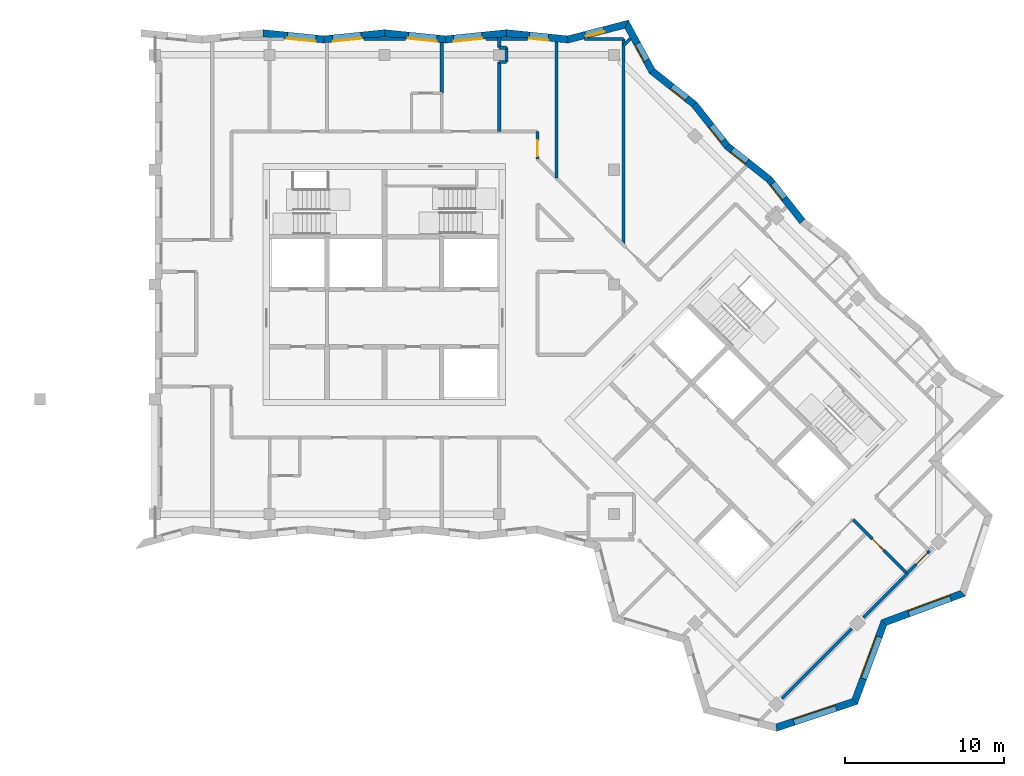
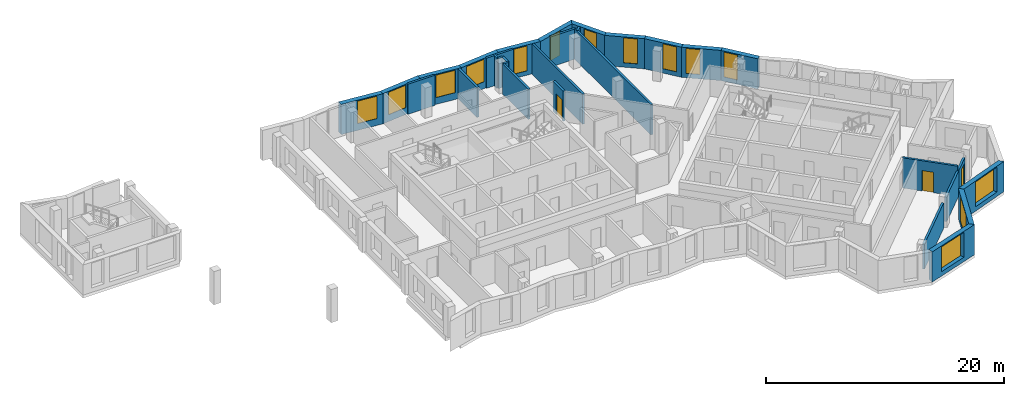
# One storey, part 6 of 12: 31 walls, 14 windows, 3 doors, 17 openings.
"""IFC4 building model written with IfcOpenShell, lengths in metres."""

from ifc_helpers import new_model, si_unit, direction, frame, frame_2d, origin, place, context, subcontext, project, spatial, polyline, rectangle, outline, extrude, material, layer, layer_set, type_object, element, fill, save


model = new_model("IFC4")

# Units and contexts
model_context = context("Model", 3, precision=1e-05, world=origin(), true_north=direction((0.0, 1.0)))
body_context = subcontext(model_context, "Body", "Model", "MODEL_VIEW")
ifc_project = project(units=[si_unit("LENGTHUNIT", "METRE"), si_unit("AREAUNIT", "SQUARE_METRE"), si_unit("VOLUMEUNIT", "CUBIC_METRE"), si_unit("PLANEANGLEUNIT", "RADIAN"), si_unit("MASSUNIT", "GRAM", prefix="KILO")], contexts=[model_context])

# Site, building, storey
site_placement = place(None, origin())
site = spatial("IfcSite", under=ifc_project, at=site_placement, CompositionType="ELEMENT")
building_placement = place(site_placement, origin())
building = spatial("IfcBuilding", under=site, at=building_placement, Name="Windrow Commons", CompositionType="ELEMENT")
storey_placement = place(building_placement, frame((0.0, 0.0, 254.0)))
storey = spatial("IfcBuildingStorey", under=building, at=storey_placement, Name="L69", CompositionType="ELEMENT", Elevation=254.0)

# Wall, opening, window
ifc_material_1 = material(Name="Brick masonry, red clay brick", Category="masonry")
ifc_layer_1 = layer(ifc_material_1, 0.45)
ifc_layer_set_1 = layer_set([ifc_layer_1], Name="Brick facade wall 450")
wall_type_1 = type_object("IfcWallType", Name="Brick facade wall 450", PredefinedType="SOLIDWALL", material=ifc_layer_set_1)
wall_1_placement = place(storey_placement, frame((89.3739, 29.808, 0.0), z_axis=(0.0, 0.0, 1.0), x_axis=(0.9486871496, 0.3162162112, 0.0)))
wall_1 = element("IfcWall", 1, at=wall_1_placement, inside=storey, type_object=wall_type_1, Name="Brick facade wall L69 1", PredefinedType="SOLIDWALL", context=body_context, shape_type="SweptSolid", body=[
    extrude(outline(polyline([(-0.0661, -0.225), (5.3005, -0.225), (5.0849, 0.225), (0.0661, 0.225), (-0.0661, -0.225)])), origin(), (0.0, 0.0, 1.0), 3.1),
])
opening_1_placement = place(wall_1_placement, frame((1.1574, 0.0, 0.45)))
opening_1 = element("IfcOpeningElement", 2, at=opening_1_placement, cuts=wall_1, Name="Opening W1V", PredefinedType="OPENING", context=body_context, shape_type="SweptSolid", body=[
    extrude(rectangle(XDim=2.8, YDim=2.55, at=frame_2d((1.4, 1.275))), frame((0.0, 0.235, 0.0), z_axis=(0.0, -1.0, 0.0), x_axis=(1.0, 0.0, 0.0)), (0.0, 0.0, 1.0), 0.47),
])
ifc_material_2 = material(Name="Clear float glass in anodised aluminium frame", Category="aluminium")
window_type_1 = type_object("IfcWindowType", Name="Window W1V bedroom 2800x2550", PartitioningType="SINGLE_PANEL", PredefinedType="WINDOW", material=ifc_material_2)
window_1_placement = place(opening_1_placement, origin())
window_1 = element("IfcWindow", 3, at=window_1_placement, inside=storey, type_object=window_type_1, Name="Window L69 1.1", OverallHeight=2.55, OverallWidth=2.8, PartitioningType="SINGLE_PANEL", PredefinedType="WINDOW", context=body_context, shape_type="SweptSolid", body=[
    extrude(rectangle(XDim=2.8, YDim=2.55, at=frame_2d((1.4, 1.275))), frame((0.0, 0.205, 0.0), z_axis=(0.0, -1.0, 0.0), x_axis=(1.0, 0.0, 0.0)), (0.0, 0.0, 1.0), 0.06),
])
fill(opening_1, window_1)

wall_2_placement = place(storey_placement, frame((94.3001, 31.45, 0.0), z_axis=(0.0, 0.0, 1.0), x_axis=(0.3481927166, 0.9374229739, 0.0)))
wall_2 = element("IfcWall", 4, at=wall_2_placement, inside=storey, type_object=wall_type_1, Name="Brick facade wall L69 2", PredefinedType="SOLIDWALL", context=body_context, shape_type="SweptSolid", body=[
    extrude(outline(polyline([(-0.1078, -0.225), (5.1724, -0.225), (5.3786, 0.225), (0.1078, 0.225), (-0.1078, -0.225)])), origin(), (0.0, 0.0, 1.0), 3.1),
])
opening_2_placement = place(wall_2_placement, frame((1.5336, 0.0, 0.45)))
opening_2 = element("IfcOpeningElement", 5, at=opening_2_placement, cuts=wall_2, Name="Opening W1V", PredefinedType="OPENING", context=body_context, shape_type="SweptSolid", body=[
    extrude(rectangle(XDim=2.8, YDim=2.55, at=frame_2d((1.4, 1.275))), frame((0.0, 0.235, 0.0), z_axis=(0.0, -1.0, 0.0), x_axis=(1.0, 0.0, 0.0)), (0.0, 0.0, 1.0), 0.47),
])
window_2_placement = place(opening_2_placement, origin())
window_2 = element("IfcWindow", 6, at=window_2_placement, inside=storey, type_object=window_type_1, Name="Window L69 2.1", OverallHeight=2.55, OverallWidth=2.8, PartitioningType="SINGLE_PANEL", PredefinedType="WINDOW", context=body_context, shape_type="SweptSolid", body=[
    extrude(rectangle(XDim=2.8, YDim=2.55, at=frame_2d((1.4, 1.275))), frame((0.0, 0.205, 0.0), z_axis=(0.0, -1.0, 0.0), x_axis=(1.0, 0.0, 0.0)), (0.0, 0.0, 1.0), 0.06),
])
fill(opening_2, window_2)

wall_3_placement = place(storey_placement, frame((96.137, 36.3954, 0.0), z_axis=(0.0, 0.0, 1.0), x_axis=(0.937429161, 0.3481760591, 0.0)))
wall_3 = element("IfcWall", 7, at=wall_3_placement, inside=storey, type_object=wall_type_1, Name="Brick facade wall L69 3", PredefinedType="SOLIDWALL", context=body_context, shape_type="SweptSolid", body=[
    extrude(outline(polyline([(0.1031, -0.225), (5.3833, -0.225), (5.1677, 0.225), (-0.1031, 0.225), (0.1031, -0.225)])), origin(), (0.0, 0.0, 1.0), 3.1),
])
opening_3_placement = place(wall_3_placement, frame((1.6509, 0.0, 0.45)))
opening_3 = element("IfcOpeningElement", 8, at=opening_3_placement, cuts=wall_3, Name="Opening W1V", PredefinedType="OPENING", context=body_context, shape_type="SweptSolid", body=[
    extrude(rectangle(XDim=2.8, YDim=2.55, at=frame_2d((1.4, 1.275))), frame((0.0, 0.235, 0.0), z_axis=(0.0, -1.0, 0.0), x_axis=(1.0, 0.0, 0.0)), (0.0, 0.0, 1.0), 0.47),
])
window_3_placement = place(opening_3_placement, origin())
window_3 = element("IfcWindow", 9, at=window_3_placement, inside=storey, type_object=window_type_1, Name="Window L69 3.1", OverallHeight=2.55, OverallWidth=2.8, PartitioningType="SINGLE_PANEL", PredefinedType="WINDOW", context=body_context, shape_type="SweptSolid", body=[
    extrude(rectangle(XDim=2.8, YDim=2.55, at=frame_2d((1.4, 1.275))), frame((0.0, 0.205, 0.0), z_axis=(0.0, -1.0, 0.0), x_axis=(1.0, 0.0, 0.0)), (0.0, 0.0, 1.0), 0.06),
])
fill(opening_3, window_3)

wall_4_placement = place(storey_placement, frame((91.0226, 61.5541, 0.0), z_axis=(0.0, 0.0, 1.0), x_axis=(-0.6198356984, 0.7847316147, 0.0)))
wall_4 = element("IfcWall", 10, at=wall_4_placement, inside=storey, type_object=wall_type_1, Name="Brick facade wall L69 12", PredefinedType="SOLIDWALL", context=body_context, shape_type="SweptSolid", body=[
    extrude(outline(polyline([(0.0264, -0.225), (3.38, -0.225), (3.3272, 0.225), (-0.0264, 0.225), (0.0264, -0.225)])), origin(), (0.0, 0.0, 1.0), 3.1),
])
opening_4_placement = place(wall_4_placement, frame((1.8413, 0.0, 0.45)))
opening_4 = element("IfcOpeningElement", 11, at=opening_4_placement, cuts=wall_4, Name="Opening W7F", PredefinedType="OPENING", context=body_context, shape_type="SweptSolid", body=[
    extrude(rectangle(XDim=1.2, YDim=2.55, at=frame_2d((0.6, 1.275))), frame((0.0, 0.235, 0.0), z_axis=(0.0, -1.0, 0.0), x_axis=(1.0, 0.0, 0.0)), (0.0, 0.0, 1.0), 0.47),
])
ifc_material_3 = material(Name="Clear float glass in anodised aluminium frame", Category="aluminium")
window_type_2 = type_object("IfcWindowType", Name="Window W7 notch 1200x2550", PartitioningType="SINGLE_PANEL", PredefinedType="WINDOW", material=ifc_material_3)
window_4_placement = place(opening_4_placement, origin())
window_4 = element("IfcWindow", 12, at=window_4_placement, inside=storey, type_object=window_type_2, Name="Window L69 12.1", OverallHeight=2.55, OverallWidth=1.2, PartitioningType="SINGLE_PANEL", PredefinedType="WINDOW", context=body_context, shape_type="SweptSolid", body=[
    extrude(rectangle(XDim=1.2, YDim=2.55, at=frame_2d((0.6, 1.275))), frame((0.0, 0.205, 0.0), z_axis=(0.0, -1.0, 0.0), x_axis=(1.0, 0.0, 0.0)), (0.0, 0.0, 1.0), 0.06),
])
fill(opening_4, window_4)

wall_5_placement = place(storey_placement, frame((88.9439, 64.1858, 0.0), z_axis=(0.0, 0.0, 1.0), x_axis=(-0.7847316147, 0.6198356984, 0.0)))
wall_5 = element("IfcWall", 13, at=wall_5_placement, inside=storey, type_object=wall_type_1, Name="Brick facade wall L69 13", PredefinedType="SOLIDWALL", context=body_context, shape_type="SweptSolid", body=[
    extrude(outline(polyline([(-0.0264, -0.225), (3.3272, -0.225), (3.38, 0.225), (0.0264, 0.225), (-0.0264, -0.225)])), origin(), (0.0, 0.0, 1.0), 3.1),
])
opening_5_placement = place(wall_5_placement, frame((1.7901, 0.0, 0.45)))
opening_5 = element("IfcOpeningElement", 14, at=opening_5_placement, cuts=wall_5, Name="Opening W7F", PredefinedType="OPENING", context=body_context, shape_type="SweptSolid", body=[
    extrude(rectangle(XDim=1.2, YDim=2.55, at=frame_2d((0.6, 1.275))), frame((0.0, 0.235, 0.0), z_axis=(0.0, -1.0, 0.0), x_axis=(1.0, 0.0, 0.0)), (0.0, 0.0, 1.0), 0.47),
])
window_5_placement = place(opening_5_placement, origin())
window_5 = element("IfcWindow", 15, at=window_5_placement, inside=storey, type_object=window_type_2, Name="Window L69 13.1", OverallHeight=2.55, OverallWidth=1.2, PartitioningType="SINGLE_PANEL", PredefinedType="WINDOW", context=body_context, shape_type="SweptSolid", body=[
    extrude(rectangle(XDim=1.2, YDim=2.55, at=frame_2d((0.6, 1.275))), frame((0.0, 0.205, 0.0), z_axis=(0.0, -1.0, 0.0), x_axis=(1.0, 0.0, 0.0)), (0.0, 0.0, 1.0), 0.06),
])
fill(opening_5, window_5)

wall_6_placement = place(storey_placement, frame((86.3122, 66.2645, 0.0), z_axis=(0.0, 0.0, 1.0), x_axis=(-0.6198356984, 0.7847316147, 0.0)))
wall_6 = element("IfcWall", 16, at=wall_6_placement, inside=storey, type_object=wall_type_1, Name="Brick facade wall L69 14", PredefinedType="SOLIDWALL", context=body_context, shape_type="SweptSolid", body=[
    extrude(outline(polyline([(0.0264, -0.225), (3.38, -0.225), (3.3272, 0.225), (-0.0264, 0.225), (0.0264, -0.225)])), origin(), (0.0, 0.0, 1.0), 3.1),
])
opening_6_placement = place(wall_6_placement, frame((0.4488, 0.0, 0.45)))
opening_6 = element("IfcOpeningElement", 17, at=opening_6_placement, cuts=wall_6, Name="Opening W7F", PredefinedType="OPENING", context=body_context, shape_type="SweptSolid", body=[
    extrude(rectangle(XDim=1.2, YDim=2.55, at=frame_2d((0.6, 1.275))), frame((0.0, 0.235, 0.0), z_axis=(0.0, -1.0, 0.0), x_axis=(1.0, 0.0, 0.0)), (0.0, 0.0, 1.0), 0.47),
])
window_6_placement = place(opening_6_placement, origin())
window_6 = element("IfcWindow", 18, at=window_6_placement, inside=storey, type_object=window_type_2, Name="Window L69 14.1", OverallHeight=2.55, OverallWidth=1.2, PartitioningType="SINGLE_PANEL", PredefinedType="WINDOW", context=body_context, shape_type="SweptSolid", body=[
    extrude(rectangle(XDim=1.2, YDim=2.55, at=frame_2d((0.6, 1.275))), frame((0.0, 0.205, 0.0), z_axis=(0.0, -1.0, 0.0), x_axis=(1.0, 0.0, 0.0)), (0.0, 0.0, 1.0), 0.06),
])
fill(opening_6, window_6)

wall_7_placement = place(storey_placement, frame((84.2335, 68.8962, 0.0), z_axis=(0.0, 0.0, 1.0), x_axis=(-0.7847347819, 0.6198316885, 0.0)))
wall_7 = element("IfcWall", 19, at=wall_7_placement, inside=storey, type_object=wall_type_1, Name="Brick facade wall L69 15", PredefinedType="SOLIDWALL", context=body_context, shape_type="SweptSolid", body=[
    extrude(outline(polyline([(-0.0264, -0.225), (3.3272, -0.225), (3.4198, 0.225), (0.0264, 0.225), (-0.0264, -0.225)])), origin(), (0.0, 0.0, 1.0), 3.1),
])
opening_7_placement = place(wall_7_placement, frame((0.5976, 0.0, 0.45)))
opening_7 = element("IfcOpeningElement", 20, at=opening_7_placement, cuts=wall_7, Name="Opening W7F", PredefinedType="OPENING", context=body_context, shape_type="SweptSolid", body=[
    extrude(rectangle(XDim=1.2, YDim=2.55, at=frame_2d((0.6, 1.275))), frame((0.0, 0.235, 0.0), z_axis=(0.0, -1.0, 0.0), x_axis=(1.0, 0.0, 0.0)), (0.0, 0.0, 1.0), 0.47),
])
window_7_placement = place(opening_7_placement, origin())
window_7 = element("IfcWindow", 21, at=window_7_placement, inside=storey, type_object=window_type_2, Name="Window L69 15.1", OverallHeight=2.55, OverallWidth=1.2, PartitioningType="SINGLE_PANEL", PredefinedType="WINDOW", context=body_context, shape_type="SweptSolid", body=[
    extrude(rectangle(XDim=1.2, YDim=2.55, at=frame_2d((0.6, 1.275))), frame((0.0, 0.205, 0.0), z_axis=(0.0, -1.0, 0.0), x_axis=(1.0, 0.0, 0.0)), (0.0, 0.0, 1.0), 0.06),
])
fill(opening_7, window_7)

wall_8_placement = place(storey_placement, frame((81.5862, 70.9872, 0.0), z_axis=(0.0, 0.0, 1.0), x_axis=(-0.4760809047, 0.8794014852, 0.0)))
wall_8 = element("IfcWall", 22, at=wall_8_placement, inside=storey, type_object=wall_type_1, Name="Brick facade wall L69 16", PredefinedType="SOLIDWALL", context=body_context, shape_type="SweptSolid", body=[
    extrude(outline(polyline([(0.0463, -0.225), (3.5214, -0.225), (3.1691, 0.225), (-0.0463, 0.225), (0.0463, -0.225)])), origin(), (0.0, 0.0, 1.0), 3.1),
])
opening_8_placement = place(wall_8_placement, frame((0.7538, 0.0, 0.45)))
opening_8 = element("IfcOpeningElement", 23, at=opening_8_placement, cuts=wall_8, Name="Opening W7F", PredefinedType="OPENING", context=body_context, shape_type="SweptSolid", body=[
    extrude(rectangle(XDim=1.2, YDim=2.55, at=frame_2d((0.6, 1.275))), frame((0.0, 0.235, 0.0), z_axis=(0.0, -1.0, 0.0), x_axis=(1.0, 0.0, 0.0)), (0.0, 0.0, 1.0), 0.47),
])
window_8_placement = place(opening_8_placement, origin())
window_8 = element("IfcWindow", 24, at=window_8_placement, inside=storey, type_object=window_type_2, Name="Window L69 16.1", OverallHeight=2.55, OverallWidth=1.2, PartitioningType="SINGLE_PANEL", PredefinedType="WINDOW", context=body_context, shape_type="SweptSolid", body=[
    extrude(rectangle(XDim=1.2, YDim=2.55, at=frame_2d((0.6, 1.275))), frame((0.0, 0.205, 0.0), z_axis=(0.0, -1.0, 0.0), x_axis=(1.0, 0.0, 0.0)), (0.0, 0.0, 1.0), 0.06),
])
fill(opening_8, window_8)

wall_9_placement = place(storey_placement, frame((79.9936, 73.929, 0.0), z_axis=(0.0, 0.0, 1.0), x_axis=(-0.9679820268, -0.2510195126, 0.0)))
wall_9 = element("IfcWall", 25, at=wall_9_placement, inside=storey, type_object=wall_type_1, Name="Brick facade wall L69 17", PredefinedType="SOLIDWALL", context=body_context, shape_type="SweptSolid", body=[
    extrude(outline(polyline([(-0.1761, -0.225), (3.7716, -0.225), (3.8525, 0.225), (0.1761, 0.225), (-0.1761, -0.225)])), origin(), (0.0, 0.0, 1.0), 3.1),
])
opening_9_placement = place(wall_9_placement, frame((1.4659, 0.0, 0.45)))
opening_9 = element("IfcOpeningElement", 26, at=opening_9_placement, cuts=wall_9, Name="Opening W7F", PredefinedType="OPENING", context=body_context, shape_type="SweptSolid", body=[
    extrude(rectangle(XDim=1.2, YDim=2.55, at=frame_2d((0.6, 1.275))), frame((0.0, 0.235, 0.0), z_axis=(0.0, -1.0, 0.0), x_axis=(1.0, 0.0, 0.0)), (0.0, 0.0, 1.0), 0.47),
])
window_9_placement = place(opening_9_placement, origin())
window_9 = element("IfcWindow", 27, at=window_9_placement, inside=storey, type_object=window_type_2, Name="Window L69 17.1", OverallHeight=2.55, OverallWidth=1.2, PartitioningType="SINGLE_PANEL", PredefinedType="WINDOW", context=body_context, shape_type="SweptSolid", body=[
    extrude(rectangle(XDim=1.2, YDim=2.55, at=frame_2d((0.6, 1.275))), frame((0.0, 0.125, 0.0), z_axis=(0.0, -1.0, 0.0), x_axis=(1.0, 0.0, 0.0)), (0.0, 0.0, 1.0), 0.06),
])
fill(opening_9, window_9)

wall_10_placement = place(storey_placement, frame((76.3036, 72.9721, 0.0), z_axis=(0.0, 0.0, 1.0), x_axis=(-0.994808045, 0.1017691196, 0.0)))
wall_10 = element("IfcWall", 28, at=wall_10_placement, inside=storey, type_object=wall_type_1, Name="Brick facade wall L69 18", PredefinedType="SOLIDWALL", context=body_context, shape_type="SweptSolid", body=[
    extrude(outline(polyline([(0.0404, -0.225), (3.8817, -0.225), (3.8357, 0.225), (-0.0404, 0.225), (0.0404, -0.225)])), origin(), (0.0, 0.0, 1.0), 3.1),
])
opening_10_placement = place(wall_10_placement, frame((1.2215, 0.0, 0.45)))
opening_10 = element("IfcOpeningElement", 29, at=opening_10_placement, cuts=wall_10, Name="Opening W7F", PredefinedType="OPENING", context=body_context, shape_type="SweptSolid", body=[
    extrude(rectangle(XDim=1.2, YDim=2.55, at=frame_2d((0.6, 1.275))), frame((0.0, 0.235, 0.0), z_axis=(0.0, -1.0, 0.0), x_axis=(1.0, 0.0, 0.0)), (0.0, 0.0, 1.0), 0.47),
])
window_10_placement = place(opening_10_placement, origin())
window_10 = element("IfcWindow", 30, at=window_10_placement, inside=storey, type_object=window_type_2, Name="Window L69 18.1", OverallHeight=2.55, OverallWidth=1.2, PartitioningType="SINGLE_PANEL", PredefinedType="WINDOW", context=body_context, shape_type="SweptSolid", body=[
    extrude(rectangle(XDim=1.2, YDim=2.55, at=frame_2d((0.6, 1.275))), frame((0.0, 0.205, 0.0), z_axis=(0.0, -1.0, 0.0), x_axis=(1.0, 0.0, 0.0)), (0.0, 0.0, 1.0), 0.06),
])
fill(opening_10, window_10)

wall_11_placement = place(storey_placement, frame((72.4649, 73.3648, 0.0), z_axis=(0.0, 0.0, 1.0), x_axis=(-0.9948059356, -0.1017897367, 0.0)))
wall_11 = element("IfcWall", 31, at=wall_11_placement, inside=storey, type_object=wall_type_1, Name="Brick facade wall L69 19", PredefinedType="SOLIDWALL", context=body_context, shape_type="SweptSolid", body=[
    extrude(outline(polyline([(-0.023, -0.225), (3.8183, -0.225), (3.8643, 0.225), (0.023, 0.225), (-0.023, -0.225)])), origin(), (0.0, 0.0, 1.0), 3.1),
])
opening_11_placement = place(wall_11_placement, frame((1.5449, 0.0, 0.7)))
opening_11 = element("IfcOpeningElement", 32, at=opening_11_placement, cuts=wall_11, Name="Opening W1C", PredefinedType="OPENING", context=body_context, shape_type="SweptSolid", body=[
    extrude(rectangle(XDim=1.8, YDim=2.3, at=frame_2d((0.9, 1.15))), frame((0.0, 0.235, 0.0), z_axis=(0.0, -1.0, 0.0), x_axis=(1.0, 0.0, 0.0)), (0.0, 0.0, 1.0), 0.47),
])
ifc_material_4 = material(Name="Clear float glass in anodised aluminium frame", Category="aluminium")
window_type_3 = type_object("IfcWindowType", Name="Window W1 bedroom 1800x2300", PartitioningType="SINGLE_PANEL", PredefinedType="WINDOW", material=ifc_material_4)
window_11_placement = place(opening_11_placement, origin())
window_11 = element("IfcWindow", 33, at=window_11_placement, inside=storey, type_object=window_type_3, Name="Window L69 19.1A", OverallHeight=2.3, OverallWidth=1.8, PartitioningType="SINGLE_PANEL", PredefinedType="WINDOW", context=body_context, shape_type="SweptSolid", body=[
    extrude(rectangle(XDim=1.8, YDim=2.3, at=frame_2d((0.9, 1.15))), frame((0.0, 0.205, 0.0), z_axis=(0.0, -1.0, 0.0), x_axis=(1.0, 0.0, 0.0)), (0.0, 0.0, 1.0), 0.06),
])
fill(opening_11, window_11)

wall_12_placement = place(storey_placement, frame((68.6436, 72.9738, 0.0), z_axis=(0.0, 0.0, 1.0), x_axis=(-0.9948059356, 0.1017897367, 0.0)))
wall_12 = element("IfcWall", 34, at=wall_12_placement, inside=storey, type_object=wall_type_1, Name="Brick facade wall L69 20", PredefinedType="SOLIDWALL", context=body_context, shape_type="SweptSolid", body=[
    extrude(outline(polyline([(0.023, -0.225), (3.8643, -0.225), (3.8183, 0.225), (-0.023, 0.225), (0.023, -0.225)])), origin(), (0.0, 0.0, 1.0), 3.1),
])
opening_12_placement = place(wall_12_placement, frame((0.5575, 0.0, 0.7)))
opening_12 = element("IfcOpeningElement", 35, at=opening_12_placement, cuts=wall_12, Name="Opening W1C", PredefinedType="OPENING", context=body_context, shape_type="SweptSolid", body=[
    extrude(rectangle(XDim=1.8, YDim=2.3, at=frame_2d((0.9, 1.15))), frame((0.0, 0.235, 0.0), z_axis=(0.0, -1.0, 0.0), x_axis=(1.0, 0.0, 0.0)), (0.0, 0.0, 1.0), 0.47),
])
window_12_placement = place(opening_12_placement, origin())
window_12 = element("IfcWindow", 36, at=window_12_placement, inside=storey, type_object=window_type_3, Name="Window L69 20.1A", OverallHeight=2.3, OverallWidth=1.8, PartitioningType="SINGLE_PANEL", PredefinedType="WINDOW", context=body_context, shape_type="SweptSolid", body=[
    extrude(rectangle(XDim=1.8, YDim=2.3, at=frame_2d((0.9, 1.15))), frame((0.0, 0.205, 0.0), z_axis=(0.0, -1.0, 0.0), x_axis=(1.0, 0.0, 0.0)), (0.0, 0.0, 1.0), 0.06),
])
fill(opening_12, window_12)

wall_13_placement = place(storey_placement, frame((64.8223, 73.3648, 0.0), z_axis=(0.0, 0.0, 1.0), x_axis=(-0.9948062053, -0.1017871006, 0.0)))
wall_13 = element("IfcWall", 37, at=wall_13_placement, inside=storey, type_object=wall_type_1, Name="Brick facade wall L69 21", PredefinedType="SOLIDWALL", context=body_context, shape_type="SweptSolid", body=[
    extrude(outline(polyline([(-0.023, -0.225), (3.8183, -0.225), (3.8643, 0.225), (0.023, 0.225), (-0.023, -0.225)])), origin(), (0.0, 0.0, 1.0), 3.1),
])
opening_13_placement = place(wall_13_placement, frame((1.4838, 0.0, 0.7)))
opening_13 = element("IfcOpeningElement", 38, at=opening_13_placement, cuts=wall_13, Name="Opening W1C", PredefinedType="OPENING", context=body_context, shape_type="SweptSolid", body=[
    extrude(rectangle(XDim=1.8, YDim=2.3, at=frame_2d((0.9, 1.15))), frame((0.0, 0.235, 0.0), z_axis=(0.0, -1.0, 0.0), x_axis=(1.0, 0.0, 0.0)), (0.0, 0.0, 1.0), 0.47),
])
window_13_placement = place(opening_13_placement, origin())
window_13 = element("IfcWindow", 39, at=window_13_placement, inside=storey, type_object=window_type_3, Name="Window L69 21.1A", OverallHeight=2.3, OverallWidth=1.8, PartitioningType="SINGLE_PANEL", PredefinedType="WINDOW", context=body_context, shape_type="SweptSolid", body=[
    extrude(rectangle(XDim=1.8, YDim=2.3, at=frame_2d((0.9, 1.15))), frame((0.0, 0.205, 0.0), z_axis=(0.0, -1.0, 0.0), x_axis=(1.0, 0.0, 0.0)), (0.0, 0.0, 1.0), 0.06),
])
fill(opening_13, window_13)

wall_14_placement = place(storey_placement, frame((61.0009, 72.9738, 0.0), z_axis=(0.0, 0.0, 1.0), x_axis=(-0.9948059356, 0.1017897367, 0.0)))
wall_14 = element("IfcWall", 40, at=wall_14_placement, inside=storey, type_object=wall_type_1, Name="Brick facade wall L69 22", PredefinedType="SOLIDWALL", context=body_context, shape_type="SweptSolid", body=[
    extrude(outline(polyline([(0.023, -0.225), (3.8643, -0.225), (3.8183, 0.225), (-0.023, 0.225), (0.023, -0.225)])), origin(), (0.0, 0.0, 1.0), 3.1),
])
opening_14_placement = place(wall_14_placement, frame((0.5076, 0.0, 0.7)))
opening_14 = element("IfcOpeningElement", 41, at=opening_14_placement, cuts=wall_14, Name="Opening W1C", PredefinedType="OPENING", context=body_context, shape_type="SweptSolid", body=[
    extrude(rectangle(XDim=1.8, YDim=2.3, at=frame_2d((0.9, 1.15))), frame((0.0, 0.235, 0.0), z_axis=(0.0, -1.0, 0.0), x_axis=(1.0, 0.0, 0.0)), (0.0, 0.0, 1.0), 0.47),
])
window_14_placement = place(opening_14_placement, origin())
window_14 = element("IfcWindow", 42, at=window_14_placement, inside=storey, type_object=window_type_3, Name="Window L69 22.1A", OverallHeight=2.3, OverallWidth=1.8, PartitioningType="SINGLE_PANEL", PredefinedType="WINDOW", context=body_context, shape_type="SweptSolid", body=[
    extrude(rectangle(XDim=1.8, YDim=2.3, at=frame_2d((0.9, 1.15))), frame((0.0, 0.205, 0.0), z_axis=(0.0, -1.0, 0.0), x_axis=(1.0, 0.0, 0.0)), (0.0, 0.0, 1.0), 0.06),
])
fill(opening_14, window_14)

# Wall, opening, door
ifc_material_5 = material(Name="Blockwork partition", Category="masonry")
ifc_layer_2 = layer(ifc_material_5, 0.2)
ifc_layer_set_2 = layer_set([ifc_layer_2], Name="IW-CORRIDOR-200")
wall_type_2 = type_object("IfcWallType", Name="IW-CORRIDOR-200", PredefinedType="PARTITIONING", material=ifc_layer_set_2)
wall_15_placement = place(storey_placement, frame((94.1887, 42.8627, 0.0), z_axis=(0.0, 0.0, 1.0), x_axis=(0.7071067812, -0.7071067812, 0.0)))
wall_15 = element("IfcWall", 43, at=wall_15_placement, inside=storey, type_object=wall_type_2, Name="W-L69-W021", PredefinedType="PARTITIONING", context=body_context, shape_type="SweptSolid", body=[
    extrude(rectangle(XDim=4.797, YDim=0.2, at=frame_2d((2.3985, 0.0))), origin(), (0.0, 0.0, 1.0), 3.1),
])
opening_15_placement = place(wall_15_placement, frame((1.7232, 0.0, 0.0)))
opening_15 = element("IfcOpeningElement", 44, at=opening_15_placement, cuts=wall_15, Name="Opening D310F", PredefinedType="OPENING", context=body_context, shape_type="SweptSolid", body=[
    extrude(rectangle(XDim=1.0, YDim=2.1, at=frame_2d((0.5, 1.05))), frame((0.0, 0.11, 0.0), z_axis=(0.0, -1.0, 0.0), x_axis=(1.0, 0.0, 0.0)), (0.0, 0.0, 1.0), 0.22),
])
ifc_material_6 = material(Name="Timber door leaf", Category="wood")
door_type = type_object("IfcDoorType", Name="DT-AMENITY-1000", OperationType="SINGLE_SWING_LEFT", PredefinedType="DOOR", material=ifc_material_6)
door_1_placement = place(opening_15_placement, origin())
door_1 = element("IfcDoor", 45, at=door_1_placement, inside=storey, type_object=door_type, Name="D-L69-D028", OperationType="SINGLE_SWING_LEFT", OverallHeight=2.1, OverallWidth=1.0, PredefinedType="DOOR", context=body_context, shape_type="SweptSolid", body=[
    extrude(rectangle(XDim=1.0, YDim=2.1, at=frame_2d((0.5, 1.05))), frame((0.0, 0.025, 0.0), z_axis=(0.0, -1.0, 0.0), x_axis=(1.0, 0.0, 0.0)), (0.0, 0.0, 1.0), 0.05),
])
fill(opening_15, door_1)

wall_16_placement = place(storey_placement, frame((97.584, 39.474, 0.0), z_axis=(0.0, 0.0, 1.0), x_axis=(0.7071067812, 0.7071067812, 0.0)))
wall_16 = element("IfcWall", 46, at=wall_16_placement, inside=storey, type_object=wall_type_2, Name="W-L69-W066", PredefinedType="PARTITIONING", context=body_context, shape_type="SweptSolid", body=[
    extrude(rectangle(XDim=1.9997, YDim=0.2, at=frame_2d((0.9999, 0.0))), origin(), (0.0, 0.0, 1.0), 2.6),
])
opening_16_placement = place(wall_16_placement, frame((0.8028, 0.0, 0.0)))
opening_16 = element("IfcOpeningElement", 47, at=opening_16_placement, cuts=wall_16, Name="Opening D310F", PredefinedType="OPENING", context=body_context, shape_type="SweptSolid", body=[
    extrude(rectangle(XDim=1.0, YDim=2.1, at=frame_2d((0.5, 1.05))), frame((0.0, 0.11, 0.0), z_axis=(0.0, -1.0, 0.0), x_axis=(1.0, 0.0, 0.0)), (0.0, 0.0, 1.0), 0.22),
])
door_2_placement = place(opening_16_placement, origin())
door_2 = element("IfcDoor", 48, at=door_2_placement, inside=storey, type_object=door_type, Name="D-L69-D030", OperationType="SINGLE_SWING_RIGHT", OverallHeight=2.1, OverallWidth=1.0, PredefinedType="DOOR", context=body_context, shape_type="SweptSolid", body=[
    extrude(rectangle(XDim=1.0, YDim=2.1, at=frame_2d((0.5, 1.05))), frame((0.0, 0.025, 0.0), z_axis=(0.0, -1.0, 0.0), x_axis=(1.0, 0.0, 0.0)), (0.0, 0.0, 1.0), 0.05),
])
fill(opening_16, door_2)

wall_17_placement = place(storey_placement, frame((74.4, 65.486, 0.0), z_axis=(0.0, 0.0, 1.0), x_axis=(0.0, 1.0, 0.0)))
wall_17 = element("IfcWall", 49, at=wall_17_placement, inside=storey, type_object=wall_type_2, Name="W-L69-W070", PredefinedType="PARTITIONING", context=body_context, shape_type="SweptSolid", body=[
    extrude(rectangle(XDim=1.714, YDim=0.2, at=frame_2d((0.857, 0.0))), origin(), (0.0, 0.0, 1.0), 3.1),
])
opening_17_placement = place(wall_17_placement, frame((0.1617, 0.0, 0.0)))
opening_17 = element("IfcOpeningElement", 50, at=opening_17_placement, cuts=wall_17, Name="Opening D310F", PredefinedType="OPENING", context=body_context, shape_type="SweptSolid", body=[
    extrude(rectangle(XDim=1.0, YDim=2.1, at=frame_2d((0.5, 1.05))), frame((0.0, 0.11, 0.0), z_axis=(0.0, -1.0, 0.0), x_axis=(1.0, 0.0, 0.0)), (0.0, 0.0, 1.0), 0.22),
])
door_3_placement = place(opening_17_placement, origin())
door_3 = element("IfcDoor", 51, at=door_3_placement, inside=storey, type_object=door_type, Name="D-L69-D015", OperationType="SINGLE_SWING_RIGHT", OverallHeight=2.1, OverallWidth=1.0, PredefinedType="DOOR", context=body_context, shape_type="SweptSolid", body=[
    extrude(rectangle(XDim=1.0, YDim=2.1, at=frame_2d((0.5, 1.05))), frame((0.0, 0.025, 0.0), z_axis=(0.0, -1.0, 0.0), x_axis=(1.0, 0.0, 0.0)), (0.0, 0.0, 1.0), 0.05),
])
fill(opening_17, door_3)

# Walls
ifc_material_7 = material(Name="Blockwork partition", Category="masonry")
ifc_layer_3 = layer(ifc_material_7, 0.2)
ifc_layer_set_3 = layer_set([ifc_layer_3], Name="IW-PARTY-200")
wall_type_3 = type_object("IfcWallType", Name="IW-PARTY-200", PredefinedType="PARTITIONING", material=ifc_layer_set_3)
wall_18_placement = place(storey_placement, frame((79.8, 60.086, 0.0), z_axis=(0.0, 0.0, 1.0), x_axis=(0.0, 1.0, 0.0)))
element("IfcWall", 52, at=wall_18_placement, inside=storey, type_object=wall_type_3, Name="W-L69-W003", PredefinedType="PARTITIONING", context=body_context, shape_type="SweptSolid", body=[
    extrude(rectangle(XDim=12.914, YDim=0.2, at=frame_2d((6.457, 0.0))), origin(), (0.0, 0.0, 1.0), 3.1),
])
wall_19_placement = place(storey_placement, frame((75.6, 64.286, 0.0), z_axis=(0.0, 0.0, 1.0), x_axis=(0.0, 1.0, 0.0)))
element("IfcWall", 53, at=wall_19_placement, inside=storey, type_object=wall_type_3, Name="W-L69-W010", PredefinedType="PARTITIONING", context=body_context, shape_type="SweptSolid", body=[
    extrude(rectangle(XDim=8.5319, YDim=0.2, at=frame_2d((4.266, 0.0))), origin(), (0.0, 0.0, 1.0), 3.1),
])
wall_20_placement = place(storey_placement, frame((89.731, 31.621, 0.0), z_axis=(0.0, 0.0, 1.0), x_axis=(0.7071067812, 0.7071067812, 0.0)))
element("IfcWall", 54, at=wall_20_placement, inside=storey, type_object=wall_type_3, Name="W-L69-W015", PredefinedType="PARTITIONING", context=body_context, shape_type="SweptSolid", body=[
    extrude(rectangle(XDim=6.2112, YDim=0.2, at=frame_2d((3.1056, 0.0))), origin(), (0.0, 0.0, 1.0), 2.6),
])
wall_21_placement = place(storey_placement, frame((72.0, 67.2, 0.0), z_axis=(0.0, 0.0, 1.0), x_axis=(0.0, 1.0, 0.0)))
element("IfcWall", 55, at=wall_21_placement, inside=storey, type_object=wall_type_3, Name="W-L69-W027", PredefinedType="PARTITIONING", context=body_context, shape_type="SweptSolid", body=[
    extrude(rectangle(XDim=4.346, YDim=0.2, at=frame_2d((2.173, 0.0))), origin(), (0.0, 0.0, 1.0), 3.1),
])
wall_22_placement = place(storey_placement, frame((94.8275, 36.7085, 0.0), z_axis=(0.0, 0.0, 1.0), x_axis=(0.7068506295, 0.7073628401, 0.0)))
element("IfcWall", 56, at=wall_22_placement, inside=storey, type_object=wall_type_3, Name="W-L69-W032", PredefinedType="PARTITIONING", context=body_context, shape_type="SweptSolid", body=[
    extrude(rectangle(XDim=3.9046, YDim=0.2, at=frame_2d((1.9523, 0.0))), origin(), (0.0, 0.0, 1.0), 2.6),
])
wall_23_placement = place(storey_placement, frame((68.4, 69.6, 0.0), z_axis=(0.0, 0.0, 1.0), x_axis=(0.0, 1.0, 0.0)))
element("IfcWall", 57, at=wall_23_placement, inside=storey, type_object=wall_type_3, Name="W-L69-W037", PredefinedType="PARTITIONING", context=body_context, shape_type="SweptSolid", body=[
    extrude(rectangle(XDim=3.1726, YDim=0.2, at=frame_2d((1.5863, 0.0))), origin(), (0.0, 0.0, 1.0), 3.1),
])
for number, where, z_axis, x_axis, name in (
    (58, (71.1599, 73.0, 0.0), (0.0, 0.0, 1.0), (1.0, 0.0, 0.0), "W-L69-W041"),
    (59, (63.5172, 73.0, 0.0), (0.0, 0.0, 1.0), (1.0, 0.0, 0.0), "W-L69-W044"),
):
    element("IfcWall", number, at=place(storey_placement, frame(where, z_axis=z_axis, x_axis=x_axis)), inside=storey, type_object=wall_type_3, Name=name, PredefinedType="PARTITIONING", context=body_context, shape_type="SweptSolid", body=[
        extrude(rectangle(XDim=2.6101, YDim=0.2, at=frame_2d((1.3051, 0.0))), origin(), (0.0, 0.0, 1.0), 3.1),
    ])
wall_24_placement = place(storey_placement, frame((77.3577, 73.0, 0.0), z_axis=(0.0, 0.0, 1.0), x_axis=(1.0, 0.0, 0.0)))
element("IfcWall", 60, at=wall_24_placement, inside=storey, type_object=wall_type_3, Name="W-L69-W048", PredefinedType="PARTITIONING", context=body_context, shape_type="SweptSolid", body=[
    extrude(rectangle(XDim=2.4423, YDim=0.2, at=frame_2d((1.2211, 0.0))), origin(), (0.0, 0.0, 1.0), 3.1),
])
wall_25_placement = place(storey_placement, frame((72.45, 71.546, 0.0), z_axis=(0.0, 0.0, 1.0), x_axis=(0.0, 1.0, 0.0)))
element("IfcWall", 61, at=wall_25_placement, inside=storey, type_object=wall_type_3, Name="W-L69-W077", PredefinedType="PARTITIONING", context=body_context, shape_type="SweptSolid", body=[
    extrude(rectangle(XDim=0.908, YDim=0.2, at=frame_2d((0.454, 0.0))), origin(), (0.0, 0.0, 1.0), 3.1),
])
wall_26_placement = place(storey_placement, frame((72.0, 72.454, 0.0), z_axis=(0.0, 0.0, 1.0), x_axis=(0.0, 1.0, 0.0)))
element("IfcWall", 62, at=wall_26_placement, inside=storey, type_object=wall_type_3, Name="W-L69-W089", PredefinedType="PARTITIONING", context=body_context, shape_type="SweptSolid", body=[
    extrude(rectangle(XDim=0.6371, YDim=0.2, at=frame_2d((0.3185, 0.0))), origin(), (0.0, 0.0, 1.0), 3.1),
])
wall_27_placement = place(storey_placement, frame((79.7992, 72.6008, 0.0), z_axis=(0.0, 0.0, 1.0), x_axis=(0.707023909, 0.7071896436, 0.0)))
element("IfcWall", 63, at=wall_27_placement, inside=storey, type_object=wall_type_3, Name="W-L69-W090", PredefinedType="PARTITIONING", context=body_context, shape_type="SweptSolid", body=[
    extrude(rectangle(XDim=0.6034, YDim=0.2, at=frame_2d((0.3017, 0.0))), origin(), (0.0, 0.0, 1.0), 3.1),
])
for number, where, z_axis, x_axis, name in (
    (64, (72.0, 72.45, 0.0), (0.0, 0.0, 1.0), (1.0, 0.0, 0.0), "W-L69-W094"),
    (65, (72.0, 71.55, 0.0), (0.0, 0.0, 1.0), (1.0, 0.0, 0.0), "W-L69-W095"),
):
    element("IfcWall", number, at=place(storey_placement, frame(where, z_axis=z_axis, x_axis=x_axis)), inside=storey, type_object=wall_type_3, Name=name, PredefinedType="PARTITIONING", context=body_context, shape_type="SweptSolid", body=[
        extrude(rectangle(XDim=0.45, YDim=0.2, at=frame_2d((0.225, 0.0))), origin(), (0.0, 0.0, 1.0), 3.1),
    ])

save(model, "model.ifc")
